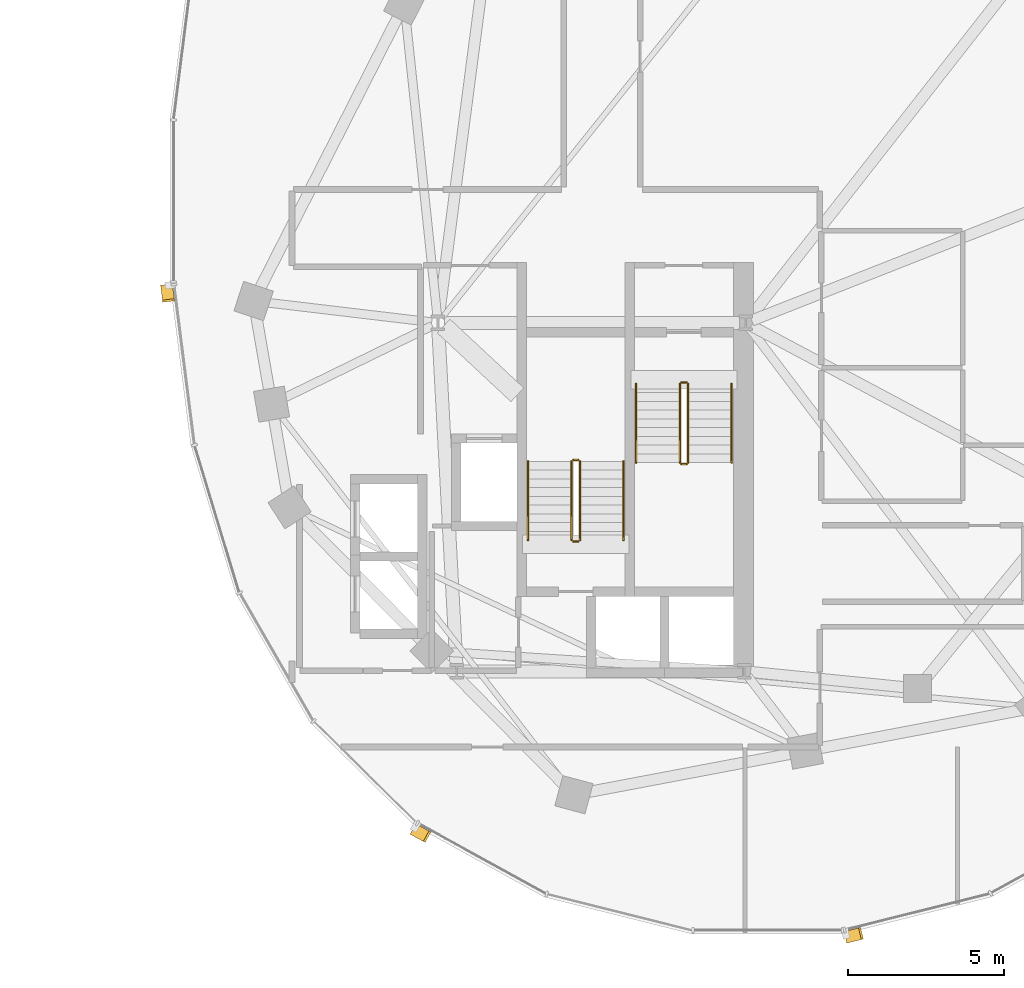
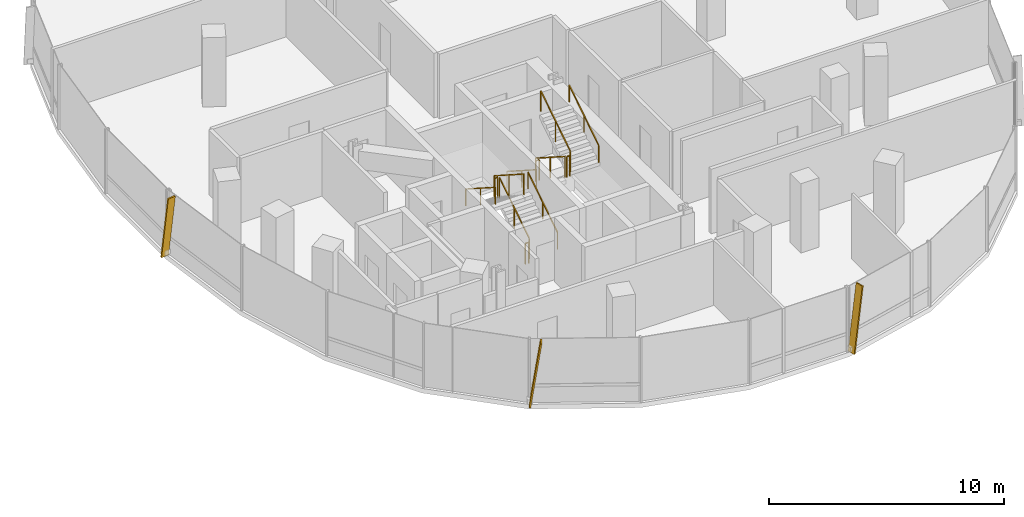
# One storey, part 21 of 22: 12 railings, 3 shading devices.
"""IFC4 building model written with IfcOpenShell, lengths in metres."""

from ifc_helpers import new_model, si_unit, direction, frame, origin, origin_2d, place, context, subcontext, project, spatial, rectangle, extrude, material, material_profile, profile_set, type_object, element, save


model = new_model("IFC4")

# Units and contexts
model_context = context("Model", 3, precision=1e-05, world=origin(), true_north=direction((0.0, 1.0)))
body_context = subcontext(model_context, "Body", "Model", "MODEL_VIEW")
ifc_project = project(units=[si_unit("LENGTHUNIT", "METRE"), si_unit("AREAUNIT", "SQUARE_METRE"), si_unit("VOLUMEUNIT", "CUBIC_METRE"), si_unit("PLANEANGLEUNIT", "RADIAN"), si_unit("MASSUNIT", "GRAM", prefix="KILO"), si_unit("THERMODYNAMICTEMPERATUREUNIT", "KELVIN"), si_unit("POWERUNIT", "WATT")], contexts=[model_context])

# Site, building, storey
site_placement = place(None, origin())
site = spatial("IfcSite", under=ifc_project, at=site_placement, CompositionType="ELEMENT")
building_placement = place(site_placement, origin())
building = spatial("IfcBuilding", under=site, at=building_placement, Name="Cundina Bronze Exchange", CompositionType="ELEMENT")
storey_placement = place(building_placement, frame((0.0, 0.0, 162.0)))
storey = spatial("IfcBuildingStorey", under=building, at=storey_placement, Name="L42", CompositionType="ELEMENT", Elevation=162.0)

# Railings
ifc_material_1 = material(Name="Steel ASTM A36 Painted", Category="steel")
railing_type_1 = type_object("IfcRailingType", Name="RLG-HND-900", PredefinedType="HANDRAIL", material=ifc_material_1)
railing_1_placement = place(storey_placement, frame((27.7900390625, -5.85009765625, 0.179931640625)))
element("IfcRailing", 1, at=railing_1_placement, inside=storey, type_object=railing_type_1, Name="L42 ST-E1 stair handrail 1", PredefinedType="HANDRAIL", context=body_context, shape_type="SweptSolid", body=[
    extrude(rectangle(XDim=0.048095703125, YDim=0.048095703125, at=origin_2d()), frame((0.0, 0.0, 0.8759765625), z_axis=(0.0, -0.841162588446, 0.540782303519), x_axis=(1.0, 0.0, 0.0)), (0.0, 0.0, 1.0), 2.995849609375),
    extrude(rectangle(XDim=0.0419921875, YDim=0.0419921875, at=origin_2d()), origin(), (0.0, 0.0, 1.0), 0.851806640625),
    extrude(rectangle(XDim=0.0419921875, YDim=0.0419921875, at=origin_2d()), frame((0.0, -1.260009765625, 0.81005859375)), (0.0, 0.0, 1.0), 0.851806640625),
    extrude(rectangle(XDim=0.0419921875, YDim=0.0419921875, at=origin_2d()), frame((0.0, -2.52001953125, 1.6201171875)), (0.0, 0.0, 1.0), 0.851806640625),
])
for number, where, name in (
    (2, (30.85009765625, -8.3701171875, 1.97998046875), "L42 ST-E1 stair handrail 2"),
    (3, (27.389892578125, -10.85009765625, 0.179931640625), "L42 ST-E2 stair handrail 1"),
):
    element("IfcRailing", number, at=place(storey_placement, frame(where)), inside=storey, type_object=railing_type_1, Name=name, PredefinedType="HANDRAIL", context=body_context, shape_type="SweptSolid", body=[
        extrude(rectangle(XDim=0.048095703125, YDim=0.048095703125, at=origin_2d()), frame((0.0, 0.0, 0.8759765625), z_axis=(0.0, 0.841162588446, 0.540782303519), x_axis=(-1.0, 0.0, 0.0)), (0.0, 0.0, 1.0), 2.995849609375),
        extrude(rectangle(XDim=0.0419921875, YDim=0.0419921875, at=origin_2d()), origin(), (0.0, 0.0, 1.0), 0.851806640625),
        extrude(rectangle(XDim=0.0419921875, YDim=0.0419921875, at=origin_2d()), frame((0.0, 1.260009765625, 0.81005859375)), (0.0, 0.0, 1.0), 0.851806640625),
        extrude(rectangle(XDim=0.0419921875, YDim=0.0419921875, at=origin_2d()), frame((0.0, 2.52001953125, 1.6201171875)), (0.0, 0.0, 1.0), 0.851806640625),
    ])
railing_2_placement = place(storey_placement, frame((24.330078125, -8.330078125, 1.97998046875)))
element("IfcRailing", 4, at=railing_2_placement, inside=storey, type_object=railing_type_1, Name="L42 ST-E2 stair handrail 2", PredefinedType="HANDRAIL", context=body_context, shape_type="SweptSolid", body=[
    extrude(rectangle(XDim=0.048095703125, YDim=0.048095703125, at=origin_2d()), frame((0.0, 0.0, 0.8759765625), z_axis=(0.0, -0.841162588446, 0.540782303519), x_axis=(1.0, 0.0, 0.0)), (0.0, 0.0, 1.0), 2.995849609375),
    extrude(rectangle(XDim=0.0419921875, YDim=0.0419921875, at=origin_2d()), origin(), (0.0, 0.0, 1.0), 0.851806640625),
    extrude(rectangle(XDim=0.0419921875, YDim=0.0419921875, at=origin_2d()), frame((0.0, -1.260009765625, 0.81005859375)), (0.0, 0.0, 1.0), 0.851806640625),
    extrude(rectangle(XDim=0.0419921875, YDim=0.0419921875, at=origin_2d()), frame((0.0, -2.52001953125, 1.6201171875)), (0.0, 0.0, 1.0), 0.851806640625),
])
railing_type_2 = type_object("IfcRailingType", Name="RLG-STG-1100", PredefinedType="GUARDRAIL", material=ifc_material_1)
railing_3_placement = place(storey_placement, frame((29.18994140625, -5.85009765625, 0.179931640625)))
element("IfcRailing", 5, at=railing_3_placement, inside=storey, type_object=railing_type_2, Name="L42 ST-E1 stair guard 1", PredefinedType="GUARDRAIL", context=body_context, shape_type="SweptSolid", body=[
    extrude(rectangle(XDim=0.048095703125, YDim=0.048095703125, at=origin_2d()), frame((0.0, 0.0, 1.076171875), z_axis=(0.0, -0.841162588446, 0.540782303519), x_axis=(1.0, 0.0, 0.0)), (0.0, 0.0, 1.0), 2.995849609375),
    extrude(rectangle(XDim=0.0419921875, YDim=0.0419921875, at=origin_2d()), origin(), (0.0, 0.0, 1.0), 1.052001953125),
    extrude(rectangle(XDim=0.0419921875, YDim=0.0419921875, at=origin_2d()), frame((0.0, -1.260009765625, 0.81005859375)), (0.0, 0.0, 1.0), 1.052001953125),
    extrude(rectangle(XDim=0.0419921875, YDim=0.0419921875, at=origin_2d()), frame((0.0, -2.52001953125, 1.6201171875)), (0.0, 0.0, 1.0), 1.052001953125),
])
railing_4_placement = place(storey_placement, frame((29.239990234375, -8.419921875, 1.800048828125)))
element("IfcRailing", 6, at=railing_4_placement, inside=storey, type_object=railing_type_2, Name="L42 ST-E1 stair guard 2", PredefinedType="GUARDRAIL", context=body_context, shape_type="SweptSolid", body=[
    extrude(rectangle(XDim=0.048095703125, YDim=0.048095703125, at=origin_2d()), frame((0.0, 0.0, 1.076171875), z_axis=(1.0, 0.0, 0.0), x_axis=(0.0, 1.0, 0.0)), (0.0, 0.0, 1.0), 0.159912109375),
    extrude(rectangle(XDim=0.0419921875, YDim=0.0419921875, at=origin_2d()), origin(), (0.0, 0.0, 1.0), 1.052001953125),
    extrude(rectangle(XDim=0.0419921875, YDim=0.0419921875, at=origin_2d()), frame((0.159912109375, 0.0, 0.0)), (0.0, 0.0, 1.0), 1.052001953125),
])
railing_5_placement = place(storey_placement, frame((29.449951171875, -8.3701171875, 1.97998046875)))
element("IfcRailing", 7, at=railing_5_placement, inside=storey, type_object=railing_type_2, Name="L42 ST-E1 stair guard 3", PredefinedType="GUARDRAIL", context=body_context, shape_type="SweptSolid", body=[
    extrude(rectangle(XDim=0.048095703125, YDim=0.048095703125, at=origin_2d()), frame((0.0, 0.0, 1.076171875), z_axis=(0.0, 0.841162588446, 0.540782303519), x_axis=(-1.0, 0.0, 0.0)), (0.0, 0.0, 1.0), 2.995849609375),
    extrude(rectangle(XDim=0.0419921875, YDim=0.0419921875, at=origin_2d()), origin(), (0.0, 0.0, 1.0), 1.052001953125),
    extrude(rectangle(XDim=0.0419921875, YDim=0.0419921875, at=origin_2d()), frame((0.0, 1.260009765625, 0.81005859375)), (0.0, 0.0, 1.0), 1.052001953125),
    extrude(rectangle(XDim=0.0419921875, YDim=0.0419921875, at=origin_2d()), frame((0.0, 2.52001953125, 1.6201171875)), (0.0, 0.0, 1.0), 1.052001953125),
])
railing_6_placement = place(storey_placement, frame((29.239990234375, -5.800048828125, 0.0)))
element("IfcRailing", 8, at=railing_6_placement, inside=storey, type_object=railing_type_2, Name="L42 ST-E1 stair guard 4", PredefinedType="GUARDRAIL", context=body_context, shape_type="SweptSolid", body=[
    extrude(rectangle(XDim=0.048095703125, YDim=0.048095703125, at=origin_2d()), frame((0.0, 0.0, 1.076171875), z_axis=(1.0, 0.0, 0.0), x_axis=(0.0, 1.0, 0.0)), (0.0, 0.0, 1.0), 0.159912109375),
    extrude(rectangle(XDim=0.0419921875, YDim=0.0419921875, at=origin_2d()), origin(), (0.0, 0.0, 1.0), 1.052001953125),
    extrude(rectangle(XDim=0.0419921875, YDim=0.0419921875, at=origin_2d()), frame((0.159912109375, 0.0, 0.0)), (0.0, 0.0, 1.0), 1.052001953125),
])
railing_7_placement = place(storey_placement, frame((25.989990234375, -10.85009765625, 0.179931640625)))
element("IfcRailing", 9, at=railing_7_placement, inside=storey, type_object=railing_type_2, Name="L42 ST-E2 stair guard 1", PredefinedType="GUARDRAIL", context=body_context, shape_type="SweptSolid", body=[
    extrude(rectangle(XDim=0.048095703125, YDim=0.048095703125, at=origin_2d()), frame((0.0, 0.0, 1.076171875), z_axis=(0.0, 0.841162588446, 0.540782303519), x_axis=(-1.0, 0.0, 0.0)), (0.0, 0.0, 1.0), 2.995849609375),
    extrude(rectangle(XDim=0.0419921875, YDim=0.0419921875, at=origin_2d()), origin(), (0.0, 0.0, 1.0), 1.052001953125),
    extrude(rectangle(XDim=0.0419921875, YDim=0.0419921875, at=origin_2d()), frame((0.0, 1.260009765625, 0.81005859375)), (0.0, 0.0, 1.0), 1.052001953125),
    extrude(rectangle(XDim=0.0419921875, YDim=0.0419921875, at=origin_2d()), frame((0.0, 2.52001953125, 1.6201171875)), (0.0, 0.0, 1.0), 1.052001953125),
])
railing_8_placement = place(storey_placement, frame((25.93994140625, -8.280029296875, 1.800048828125)))
element("IfcRailing", 10, at=railing_8_placement, inside=storey, type_object=railing_type_2, Name="L42 ST-E2 stair guard 2", PredefinedType="GUARDRAIL", context=body_context, shape_type="SweptSolid", body=[
    extrude(rectangle(XDim=0.048095703125, YDim=0.048095703125, at=origin_2d()), frame((0.0, 0.0, 1.076171875), z_axis=(-1.0, 0.0, 0.0), x_axis=(0.0, -1.0, 0.0)), (0.0, 0.0, 1.0), 0.159912109375),
    extrude(rectangle(XDim=0.0419921875, YDim=0.0419921875, at=origin_2d()), origin(), (0.0, 0.0, 1.0), 1.052001953125),
    extrude(rectangle(XDim=0.0419921875, YDim=0.0419921875, at=origin_2d()), frame((-0.159912109375, 0.0, 0.0)), (0.0, 0.0, 1.0), 1.052001953125),
])
railing_9_placement = place(storey_placement, frame((25.72998046875, -8.330078125, 1.97998046875)))
element("IfcRailing", 11, at=railing_9_placement, inside=storey, type_object=railing_type_2, Name="L42 ST-E2 stair guard 3", PredefinedType="GUARDRAIL", context=body_context, shape_type="SweptSolid", body=[
    extrude(rectangle(XDim=0.048095703125, YDim=0.048095703125, at=origin_2d()), frame((0.0, 0.0, 1.076171875), z_axis=(0.0, -0.841162588446, 0.540782303519), x_axis=(1.0, 0.0, 0.0)), (0.0, 0.0, 1.0), 2.995849609375),
    extrude(rectangle(XDim=0.0419921875, YDim=0.0419921875, at=origin_2d()), origin(), (0.0, 0.0, 1.0), 1.052001953125),
    extrude(rectangle(XDim=0.0419921875, YDim=0.0419921875, at=origin_2d()), frame((0.0, -1.260009765625, 0.81005859375)), (0.0, 0.0, 1.0), 1.052001953125),
    extrude(rectangle(XDim=0.0419921875, YDim=0.0419921875, at=origin_2d()), frame((0.0, -2.52001953125, 1.6201171875)), (0.0, 0.0, 1.0), 1.052001953125),
])
railing_10_placement = place(storey_placement, frame((25.93994140625, -10.89990234375, 0.0)))
element("IfcRailing", 12, at=railing_10_placement, inside=storey, type_object=railing_type_2, Name="L42 ST-E2 stair guard 4", PredefinedType="GUARDRAIL", context=body_context, shape_type="SweptSolid", body=[
    extrude(rectangle(XDim=0.048095703125, YDim=0.048095703125, at=origin_2d()), frame((0.0, 0.0, 1.076171875), z_axis=(-1.0, 0.0, 0.0), x_axis=(0.0, -1.0, 0.0)), (0.0, 0.0, 1.0), 0.159912109375),
    extrude(rectangle(XDim=0.0419921875, YDim=0.0419921875, at=origin_2d()), origin(), (0.0, 0.0, 1.0), 1.052001953125),
    extrude(rectangle(XDim=0.0419921875, YDim=0.0419921875, at=origin_2d()), frame((-0.159912109375, 0.0, 0.0)), (0.0, 0.0, 1.0), 1.052001953125),
])

# Shading devices
ifc_material_2 = material(Name="Anodised Bronze Aluminium 6063-T6", Category="aluminium")
ifc_material_profile = material_profile(ifc_material_2, rectangle(XDim=0.070068359375, YDim=0.3798828125, at=origin_2d()), Name="FIN70X380", Category="aluminium")
ifc_profile_set = profile_set([ifc_material_profile], Name="Anodised Bronze Aluminium 6063-T6")
shading_device_type = type_object("IfcShadingDeviceType", Name="SHD-FIN-BRZ380", PredefinedType="USERDEFINED", material=ifc_profile_set)
for number, where, z_axis, x_axis, name in (
    (13, (12.76513671875, -2.705810546875, 0.02001953125), (0.018121805099, -0.141917750773, 0.989712560391), (-0.125360789044, 0.981741119016, 0.143070080046), "L42 Diagonal Bronze Solar Fin 1"),
    (14, (20.679931640625, -20.11181640625, 0.02001953125), (0.125324460949, -0.068993954111, 0.989713905017), (-0.867011652888, 0.477309551067, 0.143060778049), "L42 Diagonal Bronze Solar Fin 5"),
    (15, (34.51953125, -23.556396484375, 0.02001953125), (0.138788401144, 0.034715294885, 0.989713407007), (-0.960133415413, -0.240159223467, 0.14306422331), "L42 Diagonal Bronze Solar Fin 1"),
):
    element("IfcShadingDevice", number, at=place(storey_placement, frame(where, z_axis=z_axis, x_axis=x_axis)), inside=storey, type_object=shading_device_type, Name=name, ObjectType="FIN", PredefinedType="USERDEFINED", context=body_context, shape_type="SweptSolid", body=[
        extrude(rectangle(XDim=0.070068359375, YDim=0.3798828125, at=origin_2d()), origin(), (0.0, 0.0, 1.0), 3.3544921875),
    ])

save(model, "model.ifc")
